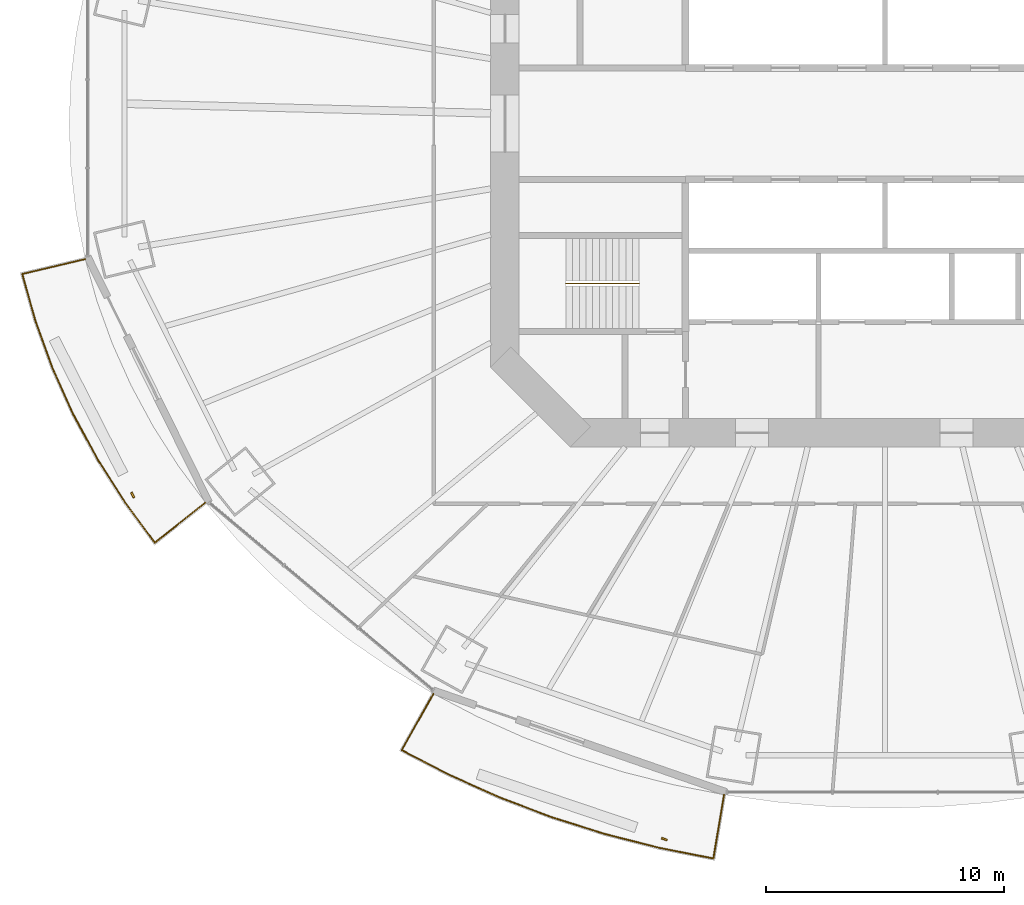
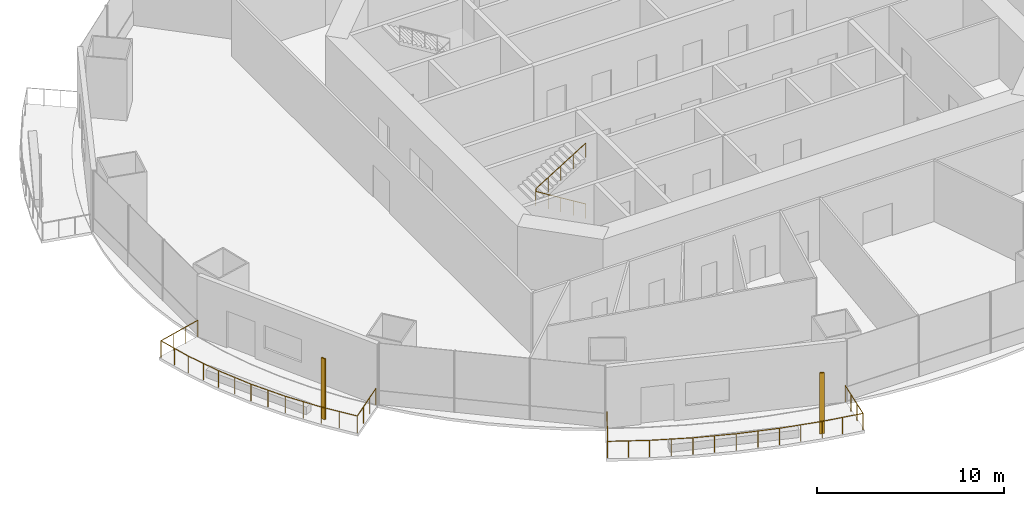
# One storey, part 17 of 22: 3 railings, 2 shading devices.
"""IFC4 building model written with IfcOpenShell, lengths in metres."""

import ifcopenshell
import ifcopenshell.guid

model = None  # the IFC model being written
_history = None  # IfcOwnerHistory: only IFC2X3 demands one
_inside = {}  # id of a spatial element -> (the spatial element, [elements in it])
_under = {}  # id of a project, library or spatial element -> (it, [spatial elements below it])
_declared = {}  # id of a project -> (the project, [libraries it declares])
_typed = {}  # id of a type object -> (the type object, [elements of that type])
_made_of = {}  # id of a material, layer set ... -> (it, [elements and type objects made of it])


def new_model(schema):
    """Start an empty IFC model of exactly this schema.

    Asked for "IFC4X3", IfcOpenShell would pick the latest addendum, in which some entities
    have other attributes; the version numbers below select the first issue.
    IFC2X3 requires an IfcOwnerHistory on every rooted entity: one is made here for all.
    """
    global model, _history
    if schema == "IFC4X3":
        model = ifcopenshell.file(schema_version=(4, 3, 0, 0))
    else:
        model = ifcopenshell.file(schema=schema)
    _inside.clear()
    _under.clear()
    _declared.clear()
    _typed.clear()
    _made_of.clear()
    _history = None
    if model.schema == "IFC2X3":
        org = make("IfcOrganization", Name="unknown")
        user = make(
            "IfcPersonAndOrganization",
            ThePerson=make("IfcPerson", FamilyName="unknown"),
            TheOrganization=org,
        )
        app = make(
            "IfcApplication",
            ApplicationDeveloper=org,
            Version="unknown",
            ApplicationFullName="unknown",
            ApplicationIdentifier="unknown",
        )
        _history = make(
            "IfcOwnerHistory",
            OwningUser=user,
            OwningApplication=app,
            ChangeAction="ADDED",
            CreationDate=0,
        )
    return model


def make(cls, **values):
    """One entity of the class cls with the attributes given. An attribute that is None is left unset."""
    return model.create_entity(
        cls, **{name: value for name, value in values.items() if value is not None}
    )


def rooted(cls, **values):
    """An entity with a GlobalId (a new one), such as an element, a storey or a relation."""
    return make(cls, GlobalId=ifcopenshell.guid.new(), OwnerHistory=_history, **values)


def si_unit(unit_type, name, prefix=None):
    """IfcSIUnit, for example si_unit("LENGTHUNIT", "METRE", prefix="MILLI")."""
    return make("IfcSIUnit", UnitType=unit_type, Prefix=prefix, Name=name)


def assignment(units):
    """IfcUnitAssignment: the units of a project."""
    return None if units is None else make("IfcUnitAssignment", Units=units)


def point(xyz):
    """IfcCartesianPoint."""
    return None if xyz is None else make("IfcCartesianPoint", Coordinates=xyz)


def direction(xyz):
    """IfcDirection."""
    return None if xyz is None else make("IfcDirection", DirectionRatios=xyz)


def frame(location, z_axis=None, x_axis=None):
    """IfcAxis2Placement3D, a coordinate frame: its origin and axes. An axis left out is left unset."""
    return make(
        "IfcAxis2Placement3D",
        Location=point(location),
        Axis=direction(z_axis),
        RefDirection=direction(x_axis),
    )


def frame_2d(location, x_axis=None):
    """IfcAxis2Placement2D, a coordinate frame in the plane: its origin and x axis."""
    return make(
        "IfcAxis2Placement2D", Location=point(location), RefDirection=direction(x_axis)
    )


def origin():
    """The frame at (0, 0, 0) with its axes left unset."""
    return frame((0.0, 0.0, 0.0))


def origin_2d():
    """The frame at (0, 0) in the plane with its x axis left unset."""
    return frame_2d((0.0, 0.0))


def place(relative_to, where):
    """IfcLocalPlacement: puts the frame where relative to a parent placement (None: the world)."""
    return make(
        "IfcLocalPlacement", PlacementRelTo=relative_to, RelativePlacement=where
    )


def context(
    kind, dimensions, precision=None, world=None, true_north=None, identifier=None
):
    """IfcGeometricRepresentationContext, for example the 3D "Model" context."""
    return make(
        "IfcGeometricRepresentationContext",
        ContextIdentifier=identifier,
        ContextType=kind,
        CoordinateSpaceDimension=dimensions,
        Precision=precision,
        WorldCoordinateSystem=world,
        TrueNorth=true_north,
    )


def subcontext(parent, identifier, kind, view, scale=None):
    """IfcGeometricRepresentationSubContext, for example "Body" below "Model"."""
    return make(
        "IfcGeometricRepresentationSubContext",
        ContextIdentifier=identifier,
        ContextType=kind,
        ParentContext=parent,
        TargetScale=scale,
        TargetView=view,
    )


def project(units=None, contexts=None):
    """IfcProject with its units and contexts."""
    return rooted(
        "IfcProject",
        Name="project",
        RepresentationContexts=contexts,
        UnitsInContext=assignment(units),
    )


def spatial(cls, under=None, at=None, **own):
    """A site, building, storey or space (cls), placed at a placement, below another one or the project."""
    s = rooted(cls, ObjectPlacement=at, **own)
    if under is not None:
        _under.setdefault(under.id(), (under, []))[1].append(s)
    return s


def profile(cls, at=None, kind="AREA", **sizes):
    """A parametric profile (cls). Its sizes go by their IFC names, for example OverallWidth=200.0."""
    return make(cls, ProfileType=kind, Position=at, **sizes)


def rectangle(**sizes):
    """IfcRectangleProfileDef."""
    return profile("IfcRectangleProfileDef", **sizes)


def circle(**sizes):
    """IfcCircleProfileDef."""
    return profile("IfcCircleProfileDef", **sizes)


def extrude(swept, where, along, depth):
    """IfcExtrudedAreaSolid: the profile swept, set in the frame where, extruded along a direction by depth."""
    return make(
        "IfcExtrudedAreaSolid",
        SweptArea=swept,
        Position=where,
        ExtrudedDirection=direction(along),
        Depth=depth,
    )


def shape(context_of_items, identifier, shape_type, items):
    """IfcShapeRepresentation: the items that make up one representation, for example the "Body"."""
    return make(
        "IfcShapeRepresentation",
        ContextOfItems=context_of_items,
        RepresentationIdentifier=identifier,
        RepresentationType=shape_type,
        Items=items,
    )


def material(Name=None, Category=None):
    """IfcMaterial."""
    return make("IfcMaterial", Name=Name, Category=Category)


def material_profile(
    of_material, cross_section, Name=None, Category=None, Priority=None
):
    """IfcMaterialProfile: a cross section and its material."""
    return make(
        "IfcMaterialProfile",
        Name=Name,
        Material=of_material,
        Profile=cross_section,
        Priority=Priority,
        Category=Category,
    )


def profile_set(profiles, Name=None, composite=None):
    """IfcMaterialProfileSet."""
    return make(
        "IfcMaterialProfileSet",
        Name=Name,
        MaterialProfiles=profiles,
        CompositeProfile=composite,
    )


def made_of(thing, what):
    """Note that an element or type object is made of a material, layer set ...; save() writes the relation."""
    if what is not None:
        _made_of.setdefault(what.id(), (what, []))[1].append(thing)
    return thing


def type_object(cls, material=None, **own):
    """A type object (cls), such as IfcWallType, which elements share."""
    return made_of(rooted(cls, **own), material)


def element(
    cls,
    number,
    at=None,
    inside=None,
    cuts=None,
    type_object=None,
    material=None,
    context=None,
    identifier="Body",
    shape_type=None,
    held_by="IfcProductDefinitionShape",
    body=None,
    shapes=None,
    **own,
):
    """One element of the class cls, such as IfcWall. Its Tag is "e" and its number.

    at: its placement. inside: the storey or other place that contains it. cuts: it is an
    opening in that element (IfcRelVoidsElement). A single representation is given by context,
    identifier, shape_type and body (its items); several are given by shapes. held_by: the class
    of the entity that holds the representations. save() writes the other relations.
    """
    e = rooted(cls, Tag="e%d" % number, ObjectPlacement=at, **own)
    if body is not None:
        shapes = [shape(context, identifier, shape_type, body)]
    if shapes is not None:
        e.Representation = make(held_by, Representations=shapes)
    if inside is not None:
        _inside.setdefault(inside.id(), (inside, []))[1].append(e)
    if cuts is not None:
        rooted(
            "IfcRelVoidsElement", RelatingBuildingElement=cuts, RelatedOpeningElement=e
        )
    if type_object is not None:
        _typed.setdefault(type_object.id(), (type_object, []))[1].append(e)
    return made_of(e, material)


def aggregate(whole, parts):
    """IfcRelAggregates: a whole, such as a stair, and the parts it consists of."""
    return rooted("IfcRelAggregates", RelatingObject=whole, RelatedObjects=parts)


def save(model, path):
    """Write the relations noted so far, then the file.

    IfcRelAggregates (storeys below a building ...), IfcRelContainedInSpatialStructure (elements
    in a storey), IfcRelDefinesByType, IfcRelAssociatesMaterial and IfcRelDeclares: one each for
    every whole, place, type object, material and project.
    """
    for whole, parts in _under.values():
        aggregate(whole, parts)
    for where, things in _inside.values():
        rooted(
            "IfcRelContainedInSpatialStructure",
            RelatedElements=things,
            RelatingStructure=where,
        )
    for kind, things in _typed.values():
        rooted("IfcRelDefinesByType", RelatedObjects=things, RelatingType=kind)
    for what, things in _made_of.values():
        rooted("IfcRelAssociatesMaterial", RelatedObjects=things, RelatingMaterial=what)
    for by, libraries in _declared.values():
        rooted("IfcRelDeclares", RelatingContext=by, RelatedDefinitions=libraries)
    model.write(path)


model = new_model("IFC4")

# Units and contexts
model_context = context("Model", 3, precision=1e-05, world=origin(), true_north=direction((0.0, 1.0)))
body_context = subcontext(model_context, "Body", "Model", "MODEL_VIEW")
ifc_project = project(units=[si_unit("LENGTHUNIT", "METRE"), si_unit("AREAUNIT", "SQUARE_METRE"), si_unit("VOLUMEUNIT", "CUBIC_METRE"), si_unit("PLANEANGLEUNIT", "RADIAN"), si_unit("MASSUNIT", "GRAM", prefix="KILO")], contexts=[model_context])

# Site, building, storey
site_placement = place(None, origin())
site = spatial("IfcSite", under=ifc_project, at=site_placement, CompositionType="ELEMENT")
building_placement = place(site_placement, origin())
building = spatial("IfcBuilding", under=site, at=building_placement, Name="Marenthal Gate Tower", CompositionType="ELEMENT")
storey_placement = place(building_placement, frame((0.0, 0.0, 111.85009765625)))
storey = spatial("IfcBuildingStorey", under=building, at=storey_placement, Name="L23", CompositionType="ELEMENT", Elevation=111.85009765625)

# Railings
ifc_material_1 = material(Name="Stainless steel", Category="steel")
railing_type_1 = type_object("IfcRailingType", Name="Balcony guard 1100", PredefinedType="GUARDRAIL", material=ifc_material_1)
railing_1_placement = place(storey_placement, frame((-28.607666015625, -15.9423828125, 0.0)))
element("IfcRailing", 1, at=railing_1_placement, inside=storey, type_object=railing_type_1, Name="Balcony guard L23 bay 9", PredefinedType="GUARDRAIL", context=body_context, shape_type="SweptSolid", body=[
    extrude(circle(Radius=0.02392578125, at=origin_2d()), frame((0.0, 0.0, 1.076171875), z_axis=(-0.78234035398, -0.622677225641, -0.014718804411), x_axis=(0.622744685996, -0.782425112112, 0.0)), (0.0, 0.0, 1.0), 2.72021484375),
    extrude(circle(Radius=0.02392578125, at=origin_2d()), frame((-2.128173828125, -1.69384765625, 1.0361328125), z_axis=(-0.594374737218, 0.804188206676, 0.0), x_axis=(-0.804188206676, -0.594374737218, 0.0)), (0.0, 0.0, 1.0), 2.1025390625),
    extrude(circle(Radius=0.02392578125, at=origin_2d()), frame((-3.3779296875, -0.0029296875, 1.0361328125), z_axis=(-0.537437089424, 0.843303844953, 0.0), x_axis=(-0.843303844953, -0.537437089424, 0.0)), (0.0, 0.0, 1.0), 2.16552734375),
    extrude(circle(Radius=0.02392578125, at=origin_2d()), frame((-4.541748046875, 1.8232421875, 1.0361328125), z_axis=(-0.475203433283, 0.87987595546, 0.0), x_axis=(-0.87987595546, -0.475203433283, 0.0)), (0.0, 0.0, 1.0), 2.149658203125),
    extrude(circle(Radius=0.02392578125, at=origin_2d()), frame((-5.563232421875, 3.714599609375, 1.0361328125), z_axis=(-0.40931851754, 0.912391555857, 0.0), x_axis=(-0.912391555857, -0.40931851754, 0.0)), (0.0, 0.0, 1.0), 2.13525390625),
    extrude(circle(Radius=0.02392578125, at=origin_2d()), frame((-6.437255859375, 5.662841796875, 1.0361328125), z_axis=(-0.340071165829, 0.940399703409, 0.0), x_axis=(-0.940399703409, -0.340071165829, 0.0)), (0.0, 0.0, 1.0), 2.122802734375),
    extrude(circle(Radius=0.02392578125, at=origin_2d()), frame((-7.1591796875, 7.6591796875, 1.0361328125), z_axis=(-0.269340401915, 0.963045039391, 0.0), x_axis=(-0.963045039391, -0.269340401915, 0.0)), (0.0, 0.0, 1.0), 2.033203125),
    extrude(circle(Radius=0.02392578125, at=origin_2d()), frame((-7.706787109375, 9.6171875, 1.0361328125), z_axis=(0.972946801612, 0.230559942195, 0.014718501565), x_axis=(-0.230584919848, 0.973052205557, 0.0)), (0.0, 0.0, 1.0), 2.72021484375),
    extrude(circle(Radius=0.02099609375, at=origin_2d()), origin(), (0.0, 0.0, 1.0), 1.052001953125),
    extrude(circle(Radius=0.02099609375, at=origin_2d()), frame((-0.70947265625, -0.564697265625, -0.013427734375)), (0.0, 0.0, 1.0), 1.052001953125),
    extrude(circle(Radius=0.02099609375, at=origin_2d()), frame((-1.418701171875, -1.129150390625, -0.026611328125)), (0.0, 0.0, 1.0), 1.052001953125),
    extrude(circle(Radius=0.02099609375, at=origin_2d()), frame((-2.128173828125, -1.69384765625, -0.0400390625)), (0.0, 0.0, 1.0), 1.052001953125),
    extrude(circle(Radius=0.02099609375, at=origin_2d()), frame((-2.7529296875, -0.848388671875, -0.0400390625)), (0.0, 0.0, 1.0), 1.052001953125),
    extrude(circle(Radius=0.02099609375, at=origin_2d()), frame((-3.3779296875, -0.0029296875, -0.0400390625)), (0.0, 0.0, 1.0), 1.052001953125),
    extrude(circle(Radius=0.02099609375, at=origin_2d()), frame((-3.9599609375, 0.91015625, -0.0400390625)), (0.0, 0.0, 1.0), 1.052001953125),
    extrude(circle(Radius=0.02099609375, at=origin_2d()), frame((-4.541748046875, 1.8232421875, -0.0400390625)), (0.0, 0.0, 1.0), 1.052001953125),
    extrude(circle(Radius=0.02099609375, at=origin_2d()), frame((-5.052490234375, 2.76904296875, -0.0400390625)), (0.0, 0.0, 1.0), 1.052001953125),
    extrude(circle(Radius=0.02099609375, at=origin_2d()), frame((-5.563232421875, 3.714599609375, -0.0400390625)), (0.0, 0.0, 1.0), 1.052001953125),
    extrude(circle(Radius=0.02099609375, at=origin_2d()), frame((-6.000244140625, 4.688720703125, -0.0400390625)), (0.0, 0.0, 1.0), 1.052001953125),
    extrude(circle(Radius=0.02099609375, at=origin_2d()), frame((-6.437255859375, 5.662841796875, -0.0400390625)), (0.0, 0.0, 1.0), 1.052001953125),
    extrude(circle(Radius=0.02099609375, at=origin_2d()), frame((-6.79833984375, 6.6611328125, -0.0400390625)), (0.0, 0.0, 1.0), 1.052001953125),
    extrude(circle(Radius=0.02099609375, at=origin_2d()), frame((-7.1591796875, 7.6591796875, -0.0400390625)), (0.0, 0.0, 1.0), 1.052001953125),
    extrude(circle(Radius=0.02099609375, at=origin_2d()), frame((-7.43310546875, 8.63818359375, -0.0400390625)), (0.0, 0.0, 1.0), 1.052001953125),
    extrude(circle(Radius=0.02099609375, at=origin_2d()), frame((-7.706787109375, 9.6171875, -0.0400390625)), (0.0, 0.0, 1.0), 1.052001953125),
    extrude(circle(Radius=0.02099609375, at=origin_2d()), frame((-6.824462890625, 9.826171875, -0.026611328125)), (0.0, 0.0, 1.0), 1.052001953125),
    extrude(circle(Radius=0.02099609375, at=origin_2d()), frame((-5.9423828125, 10.035400390625, -0.013427734375)), (0.0, 0.0, 1.0), 1.052001953125),
    extrude(circle(Radius=0.02099609375, at=origin_2d()), frame((-5.06005859375, 10.244384765625, 0.0)), (0.0, 0.0, 1.0), 1.052001953125),
])
railing_2_placement = place(storey_placement, frame((-6.779541015625, -28.241455078125, 0.0)))
element("IfcRailing", 2, at=railing_2_placement, inside=storey, type_object=railing_type_1, Name="Balcony guard L23 bay 11", PredefinedType="GUARDRAIL", context=body_context, shape_type="SweptSolid", body=[
    extrude(circle(Radius=0.02392578125, at=origin_2d()), frame((0.0, 0.0, 1.076171875), z_axis=(-0.164686797849, -0.986236088047, -0.014718602097), x_axis=(0.986342933143, -0.164704639396, 0.0)), (0.0, 0.0, 1.0), 2.72021484375),
    extrude(circle(Radius=0.02392578125, at=origin_2d()), frame((-0.447998046875, -2.682861328125, 1.0361328125), z_axis=(-0.981215853429, 0.192913060677, 0.0), x_axis=(-0.192913060677, -0.981215853429, 0.0)), (0.0, 0.0, 1.0), 2.302001953125),
    extrude(circle(Radius=0.02392578125, at=origin_2d()), frame((-2.706787109375, -2.23876953125, 1.0361328125), z_axis=(-0.969104776695, 0.246649410675, 0.0), x_axis=(-0.246649410675, -0.969104776695, 0.0)), (0.0, 0.0, 1.0), 2.37255859375),
    extrude(circle(Radius=0.02392578125, at=origin_2d()), frame((-5.006103515625, -1.653564453125, 1.0361328125), z_axis=(-0.953609232067, 0.30104722639, 0.0), x_axis=(-0.30104722639, -0.953609232067, 0.0)), (0.0, 0.0, 1.0), 2.36083984375),
    extrude(circle(Radius=0.02392578125, at=origin_2d()), frame((-7.25732421875, -0.94287109375, 1.0361328125), z_axis=(-0.934764240257, 0.35526865206, 0.0), x_axis=(-0.35526865206, -0.934764240257, 0.0)), (0.0, 0.0, 1.0), 2.347412109375),
    extrude(circle(Radius=0.02392578125, at=origin_2d()), frame((-9.45166015625, -0.10888671875, 1.0361328125), z_axis=(-0.912494502903, 0.409088966083, 0.0), x_axis=(-0.409088966083, -0.912494502903, 0.0)), (0.0, 0.0, 1.0), 2.332275390625),
    extrude(circle(Radius=0.02392578125, at=origin_2d()), frame((-11.579833984375, 0.84521484375, 1.0361328125), z_axis=(-0.887125590865, 0.461528098855, 0.0), x_axis=(-0.461528098855, -0.887125590865, 0.0)), (0.0, 0.0, 1.0), 2.235595703125),
    extrude(circle(Radius=0.02392578125, at=origin_2d()), frame((-13.56298828125, 1.876953125, 1.0361328125), z_axis=(0.489197979897, 0.87204857286, 0.014718119373), x_axis=(-0.872143041114, 0.489250974283, 0.0)), (0.0, 0.0, 1.0), 2.720458984375),
    extrude(circle(Radius=0.02099609375, at=origin_2d()), origin(), (0.0, 0.0, 1.0), 1.052001953125),
    extrude(circle(Radius=0.02099609375, at=origin_2d()), frame((-0.1494140625, -0.894287109375, -0.013427734375)), (0.0, 0.0, 1.0), 1.052001953125),
    extrude(circle(Radius=0.02099609375, at=origin_2d()), frame((-0.298583984375, -1.78857421875, -0.026611328125)), (0.0, 0.0, 1.0), 1.052001953125),
    extrude(circle(Radius=0.02099609375, at=origin_2d()), frame((-0.447998046875, -2.682861328125, -0.0400390625)), (0.0, 0.0, 1.0), 1.052001953125),
    extrude(circle(Radius=0.02099609375, at=origin_2d()), frame((-1.577392578125, -2.4609375, -0.0400390625)), (0.0, 0.0, 1.0), 1.052001953125),
    extrude(circle(Radius=0.02099609375, at=origin_2d()), frame((-2.706787109375, -2.23876953125, -0.0400390625)), (0.0, 0.0, 1.0), 1.052001953125),
    extrude(circle(Radius=0.02099609375, at=origin_2d()), frame((-3.8564453125, -1.9462890625, -0.0400390625)), (0.0, 0.0, 1.0), 1.052001953125),
    extrude(circle(Radius=0.02099609375, at=origin_2d()), frame((-5.006103515625, -1.653564453125, -0.0400390625)), (0.0, 0.0, 1.0), 1.052001953125),
    extrude(circle(Radius=0.02099609375, at=origin_2d()), frame((-6.1318359375, -1.29833984375, -0.0400390625)), (0.0, 0.0, 1.0), 1.052001953125),
    extrude(circle(Radius=0.02099609375, at=origin_2d()), frame((-7.25732421875, -0.94287109375, -0.0400390625)), (0.0, 0.0, 1.0), 1.052001953125),
    extrude(circle(Radius=0.02099609375, at=origin_2d()), frame((-8.3544921875, -0.52587890625, -0.0400390625)), (0.0, 0.0, 1.0), 1.052001953125),
    extrude(circle(Radius=0.02099609375, at=origin_2d()), frame((-9.45166015625, -0.10888671875, -0.0400390625)), (0.0, 0.0, 1.0), 1.052001953125),
    extrude(circle(Radius=0.02099609375, at=origin_2d()), frame((-10.515625, 0.3681640625, -0.0400390625)), (0.0, 0.0, 1.0), 1.052001953125),
    extrude(circle(Radius=0.02099609375, at=origin_2d()), frame((-11.579833984375, 0.84521484375, -0.0400390625)), (0.0, 0.0, 1.0), 1.052001953125),
    extrude(circle(Radius=0.02099609375, at=origin_2d()), frame((-12.5712890625, 1.361083984375, -0.0400390625)), (0.0, 0.0, 1.0), 1.052001953125),
    extrude(circle(Radius=0.02099609375, at=origin_2d()), frame((-13.56298828125, 1.876953125, -0.0400390625)), (0.0, 0.0, 1.0), 1.052001953125),
    extrude(circle(Radius=0.02099609375, at=origin_2d()), frame((-13.119384765625, 2.667724609375, -0.026611328125)), (0.0, 0.0, 1.0), 1.052001953125),
    extrude(circle(Radius=0.02099609375, at=origin_2d()), frame((-12.67578125, 3.45849609375, -0.013427734375)), (0.0, 0.0, 1.0), 1.052001953125),
    extrude(circle(Radius=0.02099609375, at=origin_2d()), frame((-12.232177734375, 4.249267578125, 0.0)), (0.0, 0.0, 1.0), 1.052001953125),
])
ifc_material_2 = material(Name="Stainless steel", Category="steel")
railing_type_2 = type_object("IfcRailingType", Name="Stair handrail", PredefinedType="HANDRAIL", material=ifc_material_2)
railing_3_placement = place(storey_placement, frame((-10.35009765625, -6.72509765625, 0.1728515625)))
element("IfcRailing", 3, at=railing_3_placement, inside=storey, type_object=railing_type_2, Name="Handrail ST2", PredefinedType="HANDRAIL", context=body_context, shape_type="SweptSolid", body=[
    extrude(circle(Radius=0.0224609375, at=origin_2d()), frame((0.0, 0.0, 0.927490234375), z_axis=(-0.850816621229, 0.0, 0.525462726595), x_axis=(0.0, -1.0, 0.0)), (0.0, 0.0, 1.0), 3.619873046875),
    extrude(circle(Radius=0.0224609375, at=origin_2d()), frame((-3.079833984375, 0.0, 2.82958984375), z_axis=(0.0, 0.0, 1.0), x_axis=(1.0, 0.0, 0.0)), (0.0, 0.0, 1.0), 0.1728515625),
    extrude(circle(Radius=0.0224609375, at=origin_2d()), frame((-3.079833984375, 0.0, 3.00244140625), z_axis=(0.850816621229, 0.0, 0.525462726595), x_axis=(0.0, 1.0, 0.0)), (0.0, 0.0, 1.0), 3.619873046875),
    extrude(circle(Radius=0.02001953125, at=origin_2d()), origin(), (0.0, 0.0, 1.0), 0.905029296875),
    extrude(circle(Radius=0.02001953125, at=origin_2d()), frame((-0.77001953125, 0.0, 0.4755859375)), (0.0, 0.0, 1.0), 0.905029296875),
    extrude(circle(Radius=0.02001953125, at=origin_2d()), frame((-1.5400390625, 0.0, 0.951171875)), (0.0, 0.0, 1.0), 0.905029296875),
    extrude(circle(Radius=0.02001953125, at=origin_2d()), frame((-2.309814453125, 0.0, 1.426513671875)), (0.0, 0.0, 1.0), 0.905029296875),
    extrude(circle(Radius=0.02001953125, at=origin_2d()), frame((-3.079833984375, 0.0, 1.902099609375)), (0.0, 0.0, 1.0), 0.905029296875),
    extrude(circle(Radius=0.02001953125, at=origin_2d()), frame((-3.079833984375, 0.0, 2.074951171875)), (0.0, 0.0, 1.0), 0.905029296875),
    extrude(circle(Radius=0.02001953125, at=origin_2d()), frame((-2.309814453125, 0.0, 2.550537109375)), (0.0, 0.0, 1.0), 0.905029296875),
    extrude(circle(Radius=0.02001953125, at=origin_2d()), frame((-1.5400390625, 0.0, 3.02587890625)), (0.0, 0.0, 1.0), 0.905029296875),
    extrude(circle(Radius=0.02001953125, at=origin_2d()), frame((-0.77001953125, 0.0, 3.50146484375)), (0.0, 0.0, 1.0), 0.905029296875),
    extrude(circle(Radius=0.02001953125, at=origin_2d()), frame((0.0, 0.0, 3.97705078125)), (0.0, 0.0, 1.0), 0.905029296875),
])

# Shading devices
ifc_material_3 = material(Name="Terracotta", Category="masonry")
ifc_material_profile = material_profile(ifc_material_3, rectangle(XDim=0.25, YDim=0.080078125, at=origin_2d()), Name="Terracotta baguette 250x80")
ifc_profile_set = profile_set([ifc_material_profile], Name="Terracotta")
shading_device_type = type_object("IfcShadingDeviceType", Name="Terracotta BAGUETTE SCREEN 250x80", PredefinedType="USERDEFINED", material=ifc_profile_set)
for number, where, z_axis, x_axis, name in (
    (4, (-31.668212890625, -15.629150390625, -0.0400390625), (0.0, 0.0, 1.0), (0.442731257123, -0.896654355907, 0.0), "Terracotta BAGUETTE L23 bay 9R"),
    (5, (-9.29296875, -30.107666015625, -0.0400390625), (0.0, 0.0, 1.0), (0.94459732274, -0.328231469959, 0.0), "Terracotta BAGUETTE L23 bay 11R"),
):
    element("IfcShadingDevice", number, at=place(storey_placement, frame(where, z_axis=z_axis, x_axis=x_axis)), inside=storey, type_object=shading_device_type, Name=name, ObjectType="BAGUETTE SCREEN", PredefinedType="USERDEFINED", context=body_context, shape_type="SweptSolid", body=[
        extrude(rectangle(XDim=0.25, YDim=0.080078125, at=origin_2d()), origin(), (0.0, 0.0, 1.0), 3.969970703125),
    ])

save(model, "model.ifc")
